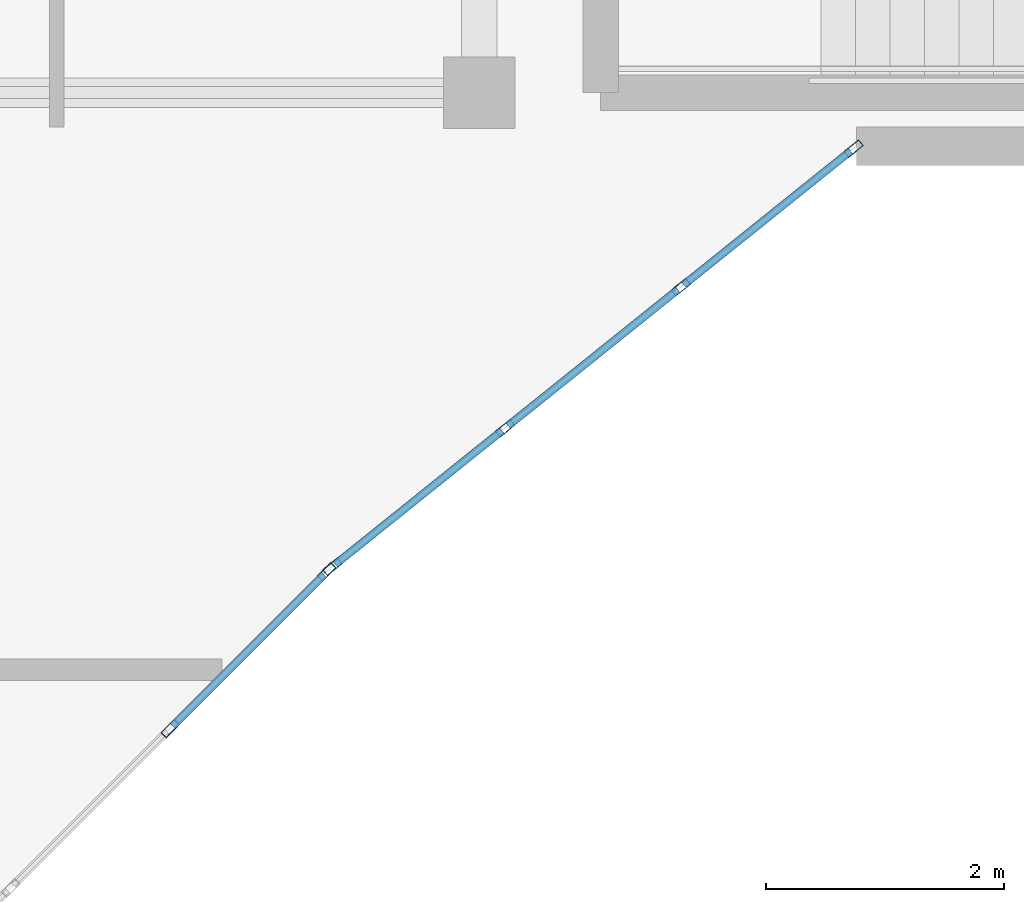
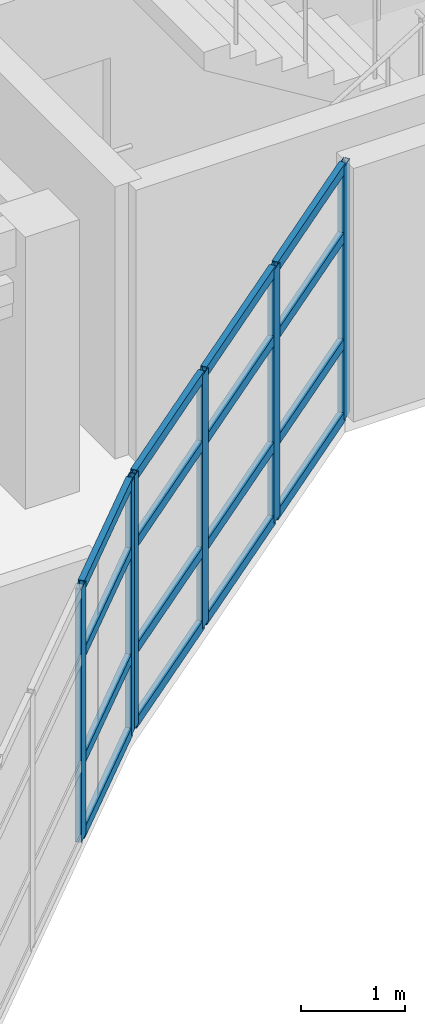
# One storey, part 8 of 72: 22 members, 2 elements without a shape of their own.
"""IFC4 building model written with IfcOpenShell, lengths in metres."""

import ifcopenshell
import ifcopenshell.guid

model = None  # the IFC model being written
_history = None  # IfcOwnerHistory: only IFC2X3 demands one
_inside = {}  # id of a spatial element -> (the spatial element, [elements in it])
_under = {}  # id of a project, library or spatial element -> (it, [spatial elements below it])
_declared = {}  # id of a project -> (the project, [libraries it declares])
_typed = {}  # id of a type object -> (the type object, [elements of that type])
_made_of = {}  # id of a material, layer set ... -> (it, [elements and type objects made of it])


def new_model(schema):
    """Start an empty IFC model of exactly this schema.

    Asked for "IFC4X3", IfcOpenShell would pick the latest addendum, in which some entities
    have other attributes; the version numbers below select the first issue.
    IFC2X3 requires an IfcOwnerHistory on every rooted entity: one is made here for all.
    """
    global model, _history
    if schema == "IFC4X3":
        model = ifcopenshell.file(schema_version=(4, 3, 0, 0))
    else:
        model = ifcopenshell.file(schema=schema)
    _inside.clear()
    _under.clear()
    _declared.clear()
    _typed.clear()
    _made_of.clear()
    _history = None
    if model.schema == "IFC2X3":
        org = make("IfcOrganization", Name="unknown")
        user = make(
            "IfcPersonAndOrganization",
            ThePerson=make("IfcPerson", FamilyName="unknown"),
            TheOrganization=org,
        )
        app = make(
            "IfcApplication",
            ApplicationDeveloper=org,
            Version="unknown",
            ApplicationFullName="unknown",
            ApplicationIdentifier="unknown",
        )
        _history = make(
            "IfcOwnerHistory",
            OwningUser=user,
            OwningApplication=app,
            ChangeAction="ADDED",
            CreationDate=0,
        )
    return model


def make(cls, **values):
    """One entity of the class cls with the attributes given. An attribute that is None is left unset."""
    return model.create_entity(
        cls, **{name: value for name, value in values.items() if value is not None}
    )


def rooted(cls, **values):
    """An entity with a GlobalId (a new one), such as an element, a storey or a relation."""
    return make(cls, GlobalId=ifcopenshell.guid.new(), OwnerHistory=_history, **values)


def si_unit(unit_type, name, prefix=None):
    """IfcSIUnit, for example si_unit("LENGTHUNIT", "METRE", prefix="MILLI")."""
    return make("IfcSIUnit", UnitType=unit_type, Prefix=prefix, Name=name)


def assignment(units):
    """IfcUnitAssignment: the units of a project."""
    return None if units is None else make("IfcUnitAssignment", Units=units)


def point(xyz):
    """IfcCartesianPoint."""
    return None if xyz is None else make("IfcCartesianPoint", Coordinates=xyz)


def direction(xyz):
    """IfcDirection."""
    return None if xyz is None else make("IfcDirection", DirectionRatios=xyz)


def frame(location, z_axis=None, x_axis=None):
    """IfcAxis2Placement3D, a coordinate frame: its origin and axes. An axis left out is left unset."""
    return make(
        "IfcAxis2Placement3D",
        Location=point(location),
        Axis=direction(z_axis),
        RefDirection=direction(x_axis),
    )


def frame_2d(location, x_axis=None):
    """IfcAxis2Placement2D, a coordinate frame in the plane: its origin and x axis."""
    return make(
        "IfcAxis2Placement2D", Location=point(location), RefDirection=direction(x_axis)
    )


def origin():
    """The frame at (0, 0, 0) with its axes left unset."""
    return frame((0.0, 0.0, 0.0))


def origin_2d():
    """The frame at (0, 0) in the plane with its x axis left unset."""
    return frame_2d((0.0, 0.0))


def place(relative_to, where):
    """IfcLocalPlacement: puts the frame where relative to a parent placement (None: the world)."""
    return make(
        "IfcLocalPlacement", PlacementRelTo=relative_to, RelativePlacement=where
    )


def context(
    kind, dimensions, precision=None, world=None, true_north=None, identifier=None
):
    """IfcGeometricRepresentationContext, for example the 3D "Model" context."""
    return make(
        "IfcGeometricRepresentationContext",
        ContextIdentifier=identifier,
        ContextType=kind,
        CoordinateSpaceDimension=dimensions,
        Precision=precision,
        WorldCoordinateSystem=world,
        TrueNorth=true_north,
    )


def subcontext(parent, identifier, kind, view, scale=None):
    """IfcGeometricRepresentationSubContext, for example "Body" below "Model"."""
    return make(
        "IfcGeometricRepresentationSubContext",
        ContextIdentifier=identifier,
        ContextType=kind,
        ParentContext=parent,
        TargetScale=scale,
        TargetView=view,
    )


def project(units=None, contexts=None):
    """IfcProject with its units and contexts."""
    return rooted(
        "IfcProject",
        Name="project",
        RepresentationContexts=contexts,
        UnitsInContext=assignment(units),
    )


def spatial(cls, under=None, at=None, **own):
    """A site, building, storey or space (cls), placed at a placement, below another one or the project."""
    s = rooted(cls, ObjectPlacement=at, **own)
    if under is not None:
        _under.setdefault(under.id(), (under, []))[1].append(s)
    return s


def profile(cls, at=None, kind="AREA", **sizes):
    """A parametric profile (cls). Its sizes go by their IFC names, for example OverallWidth=200.0."""
    return make(cls, ProfileType=kind, Position=at, **sizes)


def hollow_rectangle(**sizes):
    """IfcRectangleHollowProfileDef."""
    return profile("IfcRectangleHollowProfileDef", **sizes)


def extrude(swept, where, along, depth):
    """IfcExtrudedAreaSolid: the profile swept, set in the frame where, extruded along a direction by depth."""
    return make(
        "IfcExtrudedAreaSolid",
        SweptArea=swept,
        Position=where,
        ExtrudedDirection=direction(along),
        Depth=depth,
    )


def shape(context_of_items, identifier, shape_type, items):
    """IfcShapeRepresentation: the items that make up one representation, for example the "Body"."""
    return make(
        "IfcShapeRepresentation",
        ContextOfItems=context_of_items,
        RepresentationIdentifier=identifier,
        RepresentationType=shape_type,
        Items=items,
    )


def material(Name=None, Category=None):
    """IfcMaterial."""
    return make("IfcMaterial", Name=Name, Category=Category)


def layer(
    of_material, thickness, ventilated=None, Name=None, Category=None, Priority=None
):
    """IfcMaterialLayer: one layer of a wall or slab, of a material (None: an air gap)."""
    return make(
        "IfcMaterialLayer",
        Material=of_material,
        LayerThickness=thickness,
        IsVentilated=ventilated,
        Name=Name,
        Category=Category,
        Priority=Priority,
    )


def layer_set(layers, Name=None):
    """IfcMaterialLayerSet."""
    return make("IfcMaterialLayerSet", MaterialLayers=layers, LayerSetName=Name)


def material_profile(
    of_material, cross_section, Name=None, Category=None, Priority=None
):
    """IfcMaterialProfile: a cross section and its material."""
    return make(
        "IfcMaterialProfile",
        Name=Name,
        Material=of_material,
        Profile=cross_section,
        Priority=Priority,
        Category=Category,
    )


def profile_set(profiles, Name=None, composite=None):
    """IfcMaterialProfileSet."""
    return make(
        "IfcMaterialProfileSet",
        Name=Name,
        MaterialProfiles=profiles,
        CompositeProfile=composite,
    )


def made_of(thing, what):
    """Note that an element or type object is made of a material, layer set ...; save() writes the relation."""
    if what is not None:
        _made_of.setdefault(what.id(), (what, []))[1].append(thing)
    return thing


def type_object(cls, material=None, **own):
    """A type object (cls), such as IfcWallType, which elements share."""
    return made_of(rooted(cls, **own), material)


def element(
    cls,
    number,
    at=None,
    inside=None,
    cuts=None,
    type_object=None,
    material=None,
    context=None,
    identifier="Body",
    shape_type=None,
    held_by="IfcProductDefinitionShape",
    body=None,
    shapes=None,
    **own,
):
    """One element of the class cls, such as IfcWall. Its Tag is "e" and its number.

    at: its placement. inside: the storey or other place that contains it. cuts: it is an
    opening in that element (IfcRelVoidsElement). A single representation is given by context,
    identifier, shape_type and body (its items); several are given by shapes. held_by: the class
    of the entity that holds the representations. save() writes the other relations.
    """
    e = rooted(cls, Tag="e%d" % number, ObjectPlacement=at, **own)
    if body is not None:
        shapes = [shape(context, identifier, shape_type, body)]
    if shapes is not None:
        e.Representation = make(held_by, Representations=shapes)
    if inside is not None:
        _inside.setdefault(inside.id(), (inside, []))[1].append(e)
    if cuts is not None:
        rooted(
            "IfcRelVoidsElement", RelatingBuildingElement=cuts, RelatedOpeningElement=e
        )
    if type_object is not None:
        _typed.setdefault(type_object.id(), (type_object, []))[1].append(e)
    return made_of(e, material)


def aggregate(whole, parts):
    """IfcRelAggregates: a whole, such as a stair, and the parts it consists of."""
    return rooted("IfcRelAggregates", RelatingObject=whole, RelatedObjects=parts)


def save(model, path):
    """Write the relations noted so far, then the file.

    IfcRelAggregates (storeys below a building ...), IfcRelContainedInSpatialStructure (elements
    in a storey), IfcRelDefinesByType, IfcRelAssociatesMaterial and IfcRelDeclares: one each for
    every whole, place, type object, material and project.
    """
    for whole, parts in _under.values():
        aggregate(whole, parts)
    for where, things in _inside.values():
        rooted(
            "IfcRelContainedInSpatialStructure",
            RelatedElements=things,
            RelatingStructure=where,
        )
    for kind, things in _typed.values():
        rooted("IfcRelDefinesByType", RelatedObjects=things, RelatingType=kind)
    for what, things in _made_of.values():
        rooted("IfcRelAssociatesMaterial", RelatedObjects=things, RelatingMaterial=what)
    for by, libraries in _declared.values():
        rooted("IfcRelDeclares", RelatingContext=by, RelatedDefinitions=libraries)
    model.write(path)


model = new_model("IFC4")

# Units and contexts
model_context = context("Model", 3, precision=1e-05, world=origin(), true_north=direction((0.0, 1.0)))
body_context = subcontext(model_context, "Body", "Model", "MODEL_VIEW")
ifc_project = project(units=[si_unit("LENGTHUNIT", "METRE"), si_unit("AREAUNIT", "SQUARE_METRE"), si_unit("VOLUMEUNIT", "CUBIC_METRE"), si_unit("PLANEANGLEUNIT", "RADIAN"), si_unit("MASSUNIT", "GRAM", prefix="KILO")], contexts=[model_context])

# Site, building, storey
site_placement = place(None, origin())
site = spatial("IfcSite", under=ifc_project, at=site_placement, CompositionType="ELEMENT")
building_placement = place(site_placement, origin())
building = spatial("IfcBuilding", under=site, at=building_placement, Name="Keldmere Railside Commons", CompositionType="ELEMENT")
storey_placement = place(building_placement, frame((0.0, 0.0, 16.9599609375)))
storey = spatial("IfcBuildingStorey", under=building, at=storey_placement, Name="L05", CompositionType="ELEMENT", Elevation=16.9599609375)

# Curtain wall, members
ifc_material = material(Name="Thermally Broken Aluminium", Category="aluminium")
ifc_layer_1 = layer(ifc_material, 0.159912109375, Name="Court Chord Wintergarden CW 5400x2850")
ifc_layer_set_1 = layer_set([ifc_layer_1], Name="Thermally Broken Aluminium")
curtain_wall_type_1 = type_object("IfcCurtainWallType", Name="Court Chord Wintergarden CW 5400x2850", PredefinedType="NOTDEFINED", material=ifc_layer_set_1)
curtain_wall_1_placement = place(storey_placement, origin())
curtain_wall_1 = element("IfcCurtainWall", 1, at=curtain_wall_1_placement, inside=storey, type_object=curtain_wall_type_1, Name="CW-13 CW-L05-056", PredefinedType="NOTDEFINED")
ifc_material_profile_1 = material_profile(ifc_material, hollow_rectangle(XDim=0.06494140625, YDim=0.159912109375, WallThickness=0.00390625, at=origin_2d()), Name="ALU-MULL-65x160")
ifc_profile_set_1 = profile_set([ifc_material_profile_1], Name="Thermally Broken Aluminium")
member_type_1 = type_object("IfcMemberType", Name="Unitised Curtain Wall Mullion 65x160", PredefinedType="MULLION", material=ifc_profile_set_1)
member_1_placement = place(storey_placement, frame((71.547119140625, 96.423095703125, 0.0), z_axis=(0.0, 0.0, 1.0), x_axis=(0.707106781187, -0.707106781187, 0.0)))
member_1 = element("IfcMember", 2, at=member_1_placement, type_object=member_type_1, Name="CW-13 mullion 1", PredefinedType="MULLION", context=body_context, shape_type="SweptSolid", body=[
    extrude(hollow_rectangle(XDim=0.06494140625, YDim=0.159912109375, WallThickness=0.00390625, at=origin_2d()), origin(), (0.0, 0.0, 1.0), 2.97998046875),
])
member_2_placement = place(storey_placement, frame((70.2314453125, 95.107421875, 0.0), z_axis=(0.0, 0.0, 1.0), x_axis=(0.707106781187, -0.707106781187, 0.0)))
member_2 = element("IfcMember", 3, at=member_2_placement, type_object=member_type_1, Name="CW-13 mullion 2", PredefinedType="MULLION", context=body_context, shape_type="SweptSolid", body=[
    extrude(hollow_rectangle(XDim=0.06494140625, YDim=0.159912109375, WallThickness=0.00390625, at=origin_2d()), origin(), (0.0, 0.0, 1.0), 2.97998046875),
])

ifc_layer_2 = layer(ifc_material, 0.159912109375, Name="Court Chord Wintergarden CW 4800x2850")
ifc_layer_set_2 = layer_set([ifc_layer_2], Name="Thermally Broken Aluminium")
curtain_wall_type_2 = type_object("IfcCurtainWallType", Name="Court Chord Wintergarden CW 4800x2850", PredefinedType="NOTDEFINED", material=ifc_layer_set_2)
curtain_wall_2_placement = place(storey_placement, origin())
curtain_wall_2 = element("IfcCurtainWall", 4, at=curtain_wall_2_placement, inside=storey, type_object=curtain_wall_type_2, Name="CW-12 CW-L05-057", PredefinedType="NOTDEFINED")
member_3_placement = place(storey_placement, frame((75.974609375, 99.979736328125, 0.0), z_axis=(0.0, 0.0, 1.0), x_axis=(0.625768080915, -0.780009172323, 0.0)))
member_3 = element("IfcMember", 5, at=member_3_placement, type_object=member_type_1, Name="CW-12 mullion 1", PredefinedType="MULLION", context=body_context, shape_type="SweptSolid", body=[
    extrude(hollow_rectangle(XDim=0.06494140625, YDim=0.159912109375, WallThickness=0.00390625, at=origin_2d()), origin(), (0.0, 0.0, 1.0), 2.97998046875),
])
member_4_placement = place(storey_placement, frame((74.5234375, 98.8154296875, 0.0), z_axis=(0.0, 0.0, 1.0), x_axis=(0.625768080915, -0.780009172323, 0.0)))
member_4 = element("IfcMember", 6, at=member_4_placement, type_object=member_type_1, Name="CW-12 mullion 2", PredefinedType="MULLION", context=body_context, shape_type="SweptSolid", body=[
    extrude(hollow_rectangle(XDim=0.06494140625, YDim=0.159912109375, WallThickness=0.00390625, at=origin_2d()), origin(), (0.0, 0.0, 1.0), 2.97998046875),
])
member_5_placement = place(storey_placement, frame((73.046630859375, 97.630615234375, 0.0), z_axis=(0.0, 0.0, 1.0), x_axis=(0.625768080915, -0.780009172323, 0.0)))
member_5 = element("IfcMember", 7, at=member_5_placement, type_object=member_type_1, Name="CW-12 mullion 3", PredefinedType="MULLION", context=body_context, shape_type="SweptSolid", body=[
    extrude(hollow_rectangle(XDim=0.06494140625, YDim=0.159912109375, WallThickness=0.00390625, at=origin_2d()), origin(), (0.0, 0.0, 1.0), 2.97998046875),
])
member_6_placement = place(storey_placement, frame((71.595458984375, 96.46630859375, 0.0), z_axis=(0.0, 0.0, 1.0), x_axis=(0.625768080915, -0.780009172323, 0.0)))
member_6 = element("IfcMember", 8, at=member_6_placement, type_object=member_type_1, Name="CW-12 mullion 4", PredefinedType="MULLION", context=body_context, shape_type="SweptSolid", body=[
    extrude(hollow_rectangle(XDim=0.06494140625, YDim=0.159912109375, WallThickness=0.00390625, at=origin_2d()), origin(), (0.0, 0.0, 1.0), 2.97998046875),
])

# Member
ifc_material_profile_2 = material_profile(ifc_material, hollow_rectangle(XDim=0.06494140625, YDim=0.1201171875, WallThickness=0.00390625, at=origin_2d()), Name="ALU-TRAN-65x120")
ifc_profile_set_2 = profile_set([ifc_material_profile_2], Name="Thermally Broken Aluminium")
member_type_2 = type_object("IfcMemberType", Name="Unitised Curtain Wall Transom 65x120", PredefinedType="USERDEFINED", material=ifc_profile_set_2)
member_7_placement = place(storey_placement, frame((71.52392578125, 96.400146484375, 0.032470703125), z_axis=(-0.707038793419, -0.707174762418, 0.0), x_axis=(0.707174762418, -0.707038793419, 0.0)))
member_7 = element("IfcMember", 9, at=member_7_placement, type_object=member_type_2, Name="CW-13 transom 1.1", ObjectType="TRANSOM", PredefinedType="USERDEFINED", context=body_context, shape_type="SweptSolid", body=[
    extrude(hollow_rectangle(XDim=0.06494140625, YDim=0.1201171875, WallThickness=0.00390625, at=origin_2d()), origin(), (0.0, 0.0, 1.0), 1.795654296875),
])

member_8_placement = place(storey_placement, frame((71.52392578125, 96.400146484375, 0.900146484375), z_axis=(-0.707038793419, -0.707174762418, 0.0), x_axis=(0.707174762418, -0.707038793419, 0.0)))
member_8 = element("IfcMember", 10, at=member_8_placement, type_object=member_type_2, Name="CW-13 transom 1.2", ObjectType="TRANSOM", PredefinedType="USERDEFINED", context=body_context, shape_type="SweptSolid", body=[
    extrude(hollow_rectangle(XDim=0.06494140625, YDim=0.1201171875, WallThickness=0.00390625, at=origin_2d()), origin(), (0.0, 0.0, 1.0), 1.795654296875),
])

member_9_placement = place(storey_placement, frame((71.52392578125, 96.400146484375, 2.150146484375), z_axis=(-0.707038793419, -0.707174762418, 0.0), x_axis=(0.707174762418, -0.707038793419, 0.0)))
member_9 = element("IfcMember", 11, at=member_9_placement, type_object=member_type_2, Name="CW-13 transom 1.3", ObjectType="TRANSOM", PredefinedType="USERDEFINED", context=body_context, shape_type="SweptSolid", body=[
    extrude(hollow_rectangle(XDim=0.06494140625, YDim=0.1201171875, WallThickness=0.00390625, at=origin_2d()), origin(), (0.0, 0.0, 1.0), 1.795654296875),
])

member_10_placement = place(storey_placement, frame((71.52392578125, 96.400146484375, 2.947509765625), z_axis=(-0.707038793419, -0.707174762418, 0.0), x_axis=(0.707174762418, -0.707038793419, 0.0)))
member_10 = element("IfcMember", 12, at=member_10_placement, type_object=member_type_2, Name="CW-13 transom 1.4", ObjectType="TRANSOM", PredefinedType="USERDEFINED", context=body_context, shape_type="SweptSolid", body=[
    extrude(hollow_rectangle(XDim=0.06494140625, YDim=0.1201171875, WallThickness=0.00390625, at=origin_2d()), origin(), (0.0, 0.0, 1.0), 1.795654296875),
])

aggregate(curtain_wall_1, [member_1, member_2, member_7, member_8, member_9, member_10])

member_11_placement = place(storey_placement, frame((75.94921875, 99.959228515625, 0.032470703125), z_axis=(-0.780045694992, -0.625722553313, 0.0), x_axis=(0.625722553313, -0.780045694992, 0.0)))
member_11 = element("IfcMember", 13, at=member_11_placement, type_object=member_type_2, Name="CW-12 transom 1.1", ObjectType="TRANSOM", PredefinedType="USERDEFINED", context=body_context, shape_type="SweptSolid", body=[
    extrude(hollow_rectangle(XDim=0.06494140625, YDim=0.1201171875, WallThickness=0.00390625, at=origin_2d()), origin(), (0.0, 0.0, 1.0), 1.795654296875),
])

member_12_placement = place(storey_placement, frame((75.94921875, 99.959228515625, 0.900146484375), z_axis=(-0.780045694992, -0.625722553313, 0.0), x_axis=(0.625722553313, -0.780045694992, 0.0)))
member_12 = element("IfcMember", 14, at=member_12_placement, type_object=member_type_2, Name="CW-12 transom 1.2", ObjectType="TRANSOM", PredefinedType="USERDEFINED", context=body_context, shape_type="SweptSolid", body=[
    extrude(hollow_rectangle(XDim=0.06494140625, YDim=0.1201171875, WallThickness=0.00390625, at=origin_2d()), origin(), (0.0, 0.0, 1.0), 1.795654296875),
])

member_13_placement = place(storey_placement, frame((75.94921875, 99.959228515625, 2.150146484375), z_axis=(-0.780045694992, -0.625722553313, 0.0), x_axis=(0.625722553313, -0.780045694992, 0.0)))
member_13 = element("IfcMember", 15, at=member_13_placement, type_object=member_type_2, Name="CW-12 transom 1.3", ObjectType="TRANSOM", PredefinedType="USERDEFINED", context=body_context, shape_type="SweptSolid", body=[
    extrude(hollow_rectangle(XDim=0.06494140625, YDim=0.1201171875, WallThickness=0.00390625, at=origin_2d()), origin(), (0.0, 0.0, 1.0), 1.795654296875),
])

member_14_placement = place(storey_placement, frame((75.94921875, 99.959228515625, 2.947509765625), z_axis=(-0.780045694992, -0.625722553313, 0.0), x_axis=(0.625722553313, -0.780045694992, 0.0)))
member_14 = element("IfcMember", 16, at=member_14_placement, type_object=member_type_2, Name="CW-12 transom 1.4", ObjectType="TRANSOM", PredefinedType="USERDEFINED", context=body_context, shape_type="SweptSolid", body=[
    extrude(hollow_rectangle(XDim=0.06494140625, YDim=0.1201171875, WallThickness=0.00390625, at=origin_2d()), origin(), (0.0, 0.0, 1.0), 1.795654296875),
])

member_15_placement = place(storey_placement, frame((74.498046875, 98.794921875, 0.032470703125), z_axis=(-0.78007338409, -0.625688033635, 0.0), x_axis=(0.625688033635, -0.78007338409, 0.0)))
member_15 = element("IfcMember", 17, at=member_15_placement, type_object=member_type_2, Name="CW-12 transom 2.1", ObjectType="TRANSOM", PredefinedType="USERDEFINED", context=body_context, shape_type="SweptSolid", body=[
    extrude(hollow_rectangle(XDim=0.06494140625, YDim=0.1201171875, WallThickness=0.00390625, at=origin_2d()), origin(), (0.0, 0.0, 1.0), 1.828125),
])

member_16_placement = place(storey_placement, frame((74.498046875, 98.794921875, 0.900146484375), z_axis=(-0.78007338409, -0.625688033635, 0.0), x_axis=(0.625688033635, -0.78007338409, 0.0)))
member_16 = element("IfcMember", 18, at=member_16_placement, type_object=member_type_2, Name="CW-12 transom 2.2", ObjectType="TRANSOM", PredefinedType="USERDEFINED", context=body_context, shape_type="SweptSolid", body=[
    extrude(hollow_rectangle(XDim=0.06494140625, YDim=0.1201171875, WallThickness=0.00390625, at=origin_2d()), origin(), (0.0, 0.0, 1.0), 1.828125),
])

member_17_placement = place(storey_placement, frame((74.498046875, 98.794921875, 2.150146484375), z_axis=(-0.78007338409, -0.625688033635, 0.0), x_axis=(0.625688033635, -0.78007338409, 0.0)))
member_17 = element("IfcMember", 19, at=member_17_placement, type_object=member_type_2, Name="CW-12 transom 2.3", ObjectType="TRANSOM", PredefinedType="USERDEFINED", context=body_context, shape_type="SweptSolid", body=[
    extrude(hollow_rectangle(XDim=0.06494140625, YDim=0.1201171875, WallThickness=0.00390625, at=origin_2d()), origin(), (0.0, 0.0, 1.0), 1.828125),
])

member_18_placement = place(storey_placement, frame((74.498046875, 98.794921875, 2.947509765625), z_axis=(-0.78007338409, -0.625688033635, 0.0), x_axis=(0.625688033635, -0.78007338409, 0.0)))
member_18 = element("IfcMember", 20, at=member_18_placement, type_object=member_type_2, Name="CW-12 transom 2.4", ObjectType="TRANSOM", PredefinedType="USERDEFINED", context=body_context, shape_type="SweptSolid", body=[
    extrude(hollow_rectangle(XDim=0.06494140625, YDim=0.1201171875, WallThickness=0.00390625, at=origin_2d()), origin(), (0.0, 0.0, 1.0), 1.828125),
])

member_19_placement = place(storey_placement, frame((73.021240234375, 97.6103515625, 0.032470703125), z_axis=(-0.779979331565, -0.625805275091, 0.0), x_axis=(0.625805275091, -0.779979331565, 0.0)))
member_19 = element("IfcMember", 21, at=member_19_placement, type_object=member_type_2, Name="CW-12 transom 3.1", ObjectType="TRANSOM", PredefinedType="USERDEFINED", context=body_context, shape_type="SweptSolid", body=[
    extrude(hollow_rectangle(XDim=0.06494140625, YDim=0.1201171875, WallThickness=0.00390625, at=origin_2d()), origin(), (0.0, 0.0, 1.0), 1.795654296875),
])

member_20_placement = place(storey_placement, frame((73.021240234375, 97.6103515625, 0.900146484375), z_axis=(-0.779979331565, -0.625805275091, 0.0), x_axis=(0.625805275091, -0.779979331565, 0.0)))
member_20 = element("IfcMember", 22, at=member_20_placement, type_object=member_type_2, Name="CW-12 transom 3.2", ObjectType="TRANSOM", PredefinedType="USERDEFINED", context=body_context, shape_type="SweptSolid", body=[
    extrude(hollow_rectangle(XDim=0.06494140625, YDim=0.1201171875, WallThickness=0.00390625, at=origin_2d()), origin(), (0.0, 0.0, 1.0), 1.795654296875),
])

member_21_placement = place(storey_placement, frame((73.021240234375, 97.6103515625, 2.150146484375), z_axis=(-0.779979331565, -0.625805275091, 0.0), x_axis=(0.625805275091, -0.779979331565, 0.0)))
member_21 = element("IfcMember", 23, at=member_21_placement, type_object=member_type_2, Name="CW-12 transom 3.3", ObjectType="TRANSOM", PredefinedType="USERDEFINED", context=body_context, shape_type="SweptSolid", body=[
    extrude(hollow_rectangle(XDim=0.06494140625, YDim=0.1201171875, WallThickness=0.00390625, at=origin_2d()), origin(), (0.0, 0.0, 1.0), 1.795654296875),
])

member_22_placement = place(storey_placement, frame((73.021240234375, 97.6103515625, 2.947509765625), z_axis=(-0.779979331565, -0.625805275091, 0.0), x_axis=(0.625805275091, -0.779979331565, 0.0)))
member_22 = element("IfcMember", 24, at=member_22_placement, type_object=member_type_2, Name="CW-12 transom 3.4", ObjectType="TRANSOM", PredefinedType="USERDEFINED", context=body_context, shape_type="SweptSolid", body=[
    extrude(hollow_rectangle(XDim=0.06494140625, YDim=0.1201171875, WallThickness=0.00390625, at=origin_2d()), origin(), (0.0, 0.0, 1.0), 1.795654296875),
])

aggregate(curtain_wall_2, [member_3, member_4, member_5, member_6, member_11, member_12, member_13, member_14, member_15, member_16, member_17, member_18, member_19, member_20, member_21, member_22])

save(model, "model.ifc")
